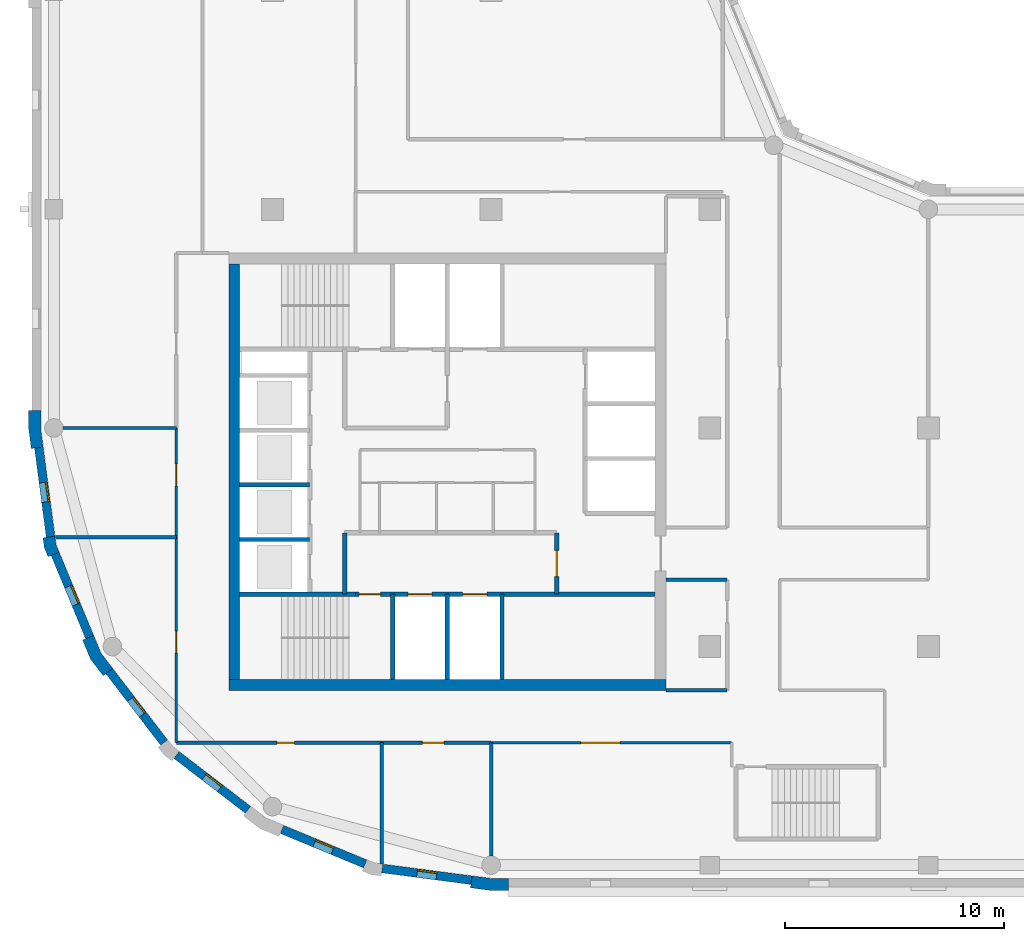
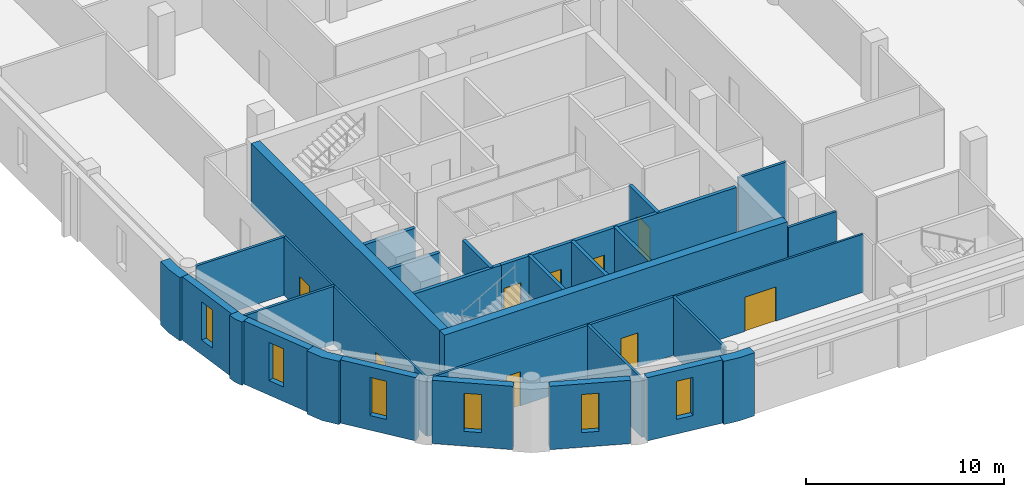
# One storey, part 2 of 9: 30 walls, 9 doors, 6 windows, 15 openings.
"""IFC4 building model written with IfcOpenShell, lengths in metres."""

from ifc_helpers import new_model, si_unit, direction, frame, frame_2d, origin, place, context, subcontext, project, spatial, polyline, rectangle, outline, extrude, material, layer, layer_set, type_object, element, fill, save


model = new_model("IFC4")

# Units and contexts
model_context = context("Model", 3, precision=1e-05, world=origin(), true_north=direction((0.0, 1.0)))
body_context = subcontext(model_context, "Body", "Model", "MODEL_VIEW")
ifc_project = project(units=[si_unit("LENGTHUNIT", "METRE"), si_unit("AREAUNIT", "SQUARE_METRE"), si_unit("VOLUMEUNIT", "CUBIC_METRE"), si_unit("PLANEANGLEUNIT", "RADIAN"), si_unit("MASSUNIT", "GRAM", prefix="KILO")], contexts=[model_context])

# Site, building, storey
site_placement = place(None, origin())
site = spatial("IfcSite", under=ifc_project, at=site_placement, CompositionType="ELEMENT")
building_placement = place(site_placement, origin())
building = spatial("IfcBuilding", under=site, at=building_placement, Name="Qaws Garden Tower", CompositionType="ELEMENT")
storey_placement = place(building_placement, frame((0.0, 0.0, 263.10009765625)))
storey = spatial("IfcBuildingStorey", under=building, at=storey_placement, Name="L63", CompositionType="ELEMENT", Elevation=263.10009765625)

# Wall, opening, window
ifc_material_1 = material(Name="Clay facing brick masonry", Category="masonry")
ifc_layer_1 = layer(ifc_material_1, 0.39990234375)
ifc_layer_set_1 = layer_set([ifc_layer_1], Name="Clay facing brick masonry")
wall_type_1 = type_object("IfcWallType", Name="Brick infill wall 400", PredefinedType="SOLIDWALL", material=ifc_layer_set_1)
wall_1_placement = place(storey_placement, frame((-0.688720703125, 19.102294921875, 0.0), z_axis=(0.0, 0.0, 1.0), x_axis=(0.130514280502, -0.991446429508, 0.0)))
wall_1 = element("IfcWall", 1, at=wall_1_placement, inside=storey, type_object=wall_type_1, Name="E-L63-infill-23", PredefinedType="SOLIDWALL", context=body_context, shape_type="SweptSolid", body=[
    extrude(rectangle(XDim=4.120849609375, YDim=0.39990234375, at=frame_2d((2.060546875, 0.0))), origin(), (0.0, 0.0, 1.0), 3.89990234375),
])
opening_1_placement = place(wall_1_placement, frame((1.610595703125, 0.0, 0.89990234375)))
opening_1 = element("IfcOpeningElement", 2, at=opening_1_placement, cuts=wall_1, Name="Opening W09", PredefinedType="OPENING", context=body_context, shape_type="SweptSolid", body=[
    extrude(rectangle(XDim=0.89990234375, YDim=2.35009765625, at=frame_2d((0.449951171875, 1.175048828125))), frame((0.0, 0.2099609375, 0.0), z_axis=(0.0, -1.0, 0.0), x_axis=(1.0, 0.0, 0.0)), (0.0, 0.0, 1.0), 0.419921875),
])
ifc_material_2 = material(Name="Aluminium framed window, clear glazing", Category="aluminium")
window_type = type_object("IfcWindowType", Name="Slit window 900 x 2350", PartitioningType="SINGLE_PANEL", PredefinedType="WINDOW", material=ifc_material_2)
window_1_placement = place(opening_1_placement, origin())
window_1 = element("IfcWindow", 3, at=window_1_placement, inside=storey, type_object=window_type, Name="E-L63-window-23-0", OverallHeight=2.35009765625, OverallWidth=0.89990234375, PartitioningType="SINGLE_PANEL", PredefinedType="WINDOW", context=body_context, shape_type="SweptSolid", body=[
    extrude(rectangle(XDim=0.89990234375, YDim=2.35009765625, at=frame_2d((0.449951171875, 1.175048828125))), frame((0.0, 0.159912109375, 0.0), z_axis=(0.0, -1.0, 0.0), x_axis=(1.0, 0.0, 0.0)), (0.0, 0.0, 1.0), 0.06005859375),
])
fill(opening_1, window_1)

wall_2_placement = place(storey_placement, frame((0.05712890625, 14.240234375, 0.0), z_axis=(0.0, 0.0, 1.0), x_axis=(0.382721546029, -0.923863744394, 0.0)))
wall_2 = element("IfcWall", 4, at=wall_2_placement, inside=storey, type_object=wall_type_1, Name="E-L63-infill-24", PredefinedType="SOLIDWALL", context=body_context, shape_type="SweptSolid", body=[
    extrude(rectangle(XDim=4.120849609375, YDim=0.39990234375, at=frame_2d((2.060546875, 0.0))), origin(), (0.0, 0.0, 1.0), 3.89990234375),
])
opening_2_placement = place(wall_2_placement, frame((1.610595703125, 0.0, 0.89990234375)))
opening_2 = element("IfcOpeningElement", 5, at=opening_2_placement, cuts=wall_2, Name="Opening W09", PredefinedType="OPENING", context=body_context, shape_type="SweptSolid", body=[
    extrude(rectangle(XDim=0.89990234375, YDim=2.35009765625, at=frame_2d((0.449951171875, 1.175048828125))), frame((0.0, 0.2099609375, 0.0), z_axis=(0.0, -1.0, 0.0), x_axis=(1.0, 0.0, 0.0)), (0.0, 0.0, 1.0), 0.419921875),
])
window_2_placement = place(opening_2_placement, origin())
window_2 = element("IfcWindow", 6, at=window_2_placement, inside=storey, type_object=window_type, Name="E-L63-window-24-0", OverallHeight=2.35009765625, OverallWidth=0.89990234375, PartitioningType="SINGLE_PANEL", PredefinedType="WINDOW", context=body_context, shape_type="SweptSolid", body=[
    extrude(rectangle(XDim=0.89990234375, YDim=2.35009765625, at=frame_2d((0.449951171875, 1.175048828125))), frame((0.0, 0.159912109375, 0.0), z_axis=(0.0, -1.0, 0.0), x_axis=(1.0, 0.0, 0.0)), (0.0, 0.0, 1.0), 0.06005859375),
])
fill(opening_2, window_2)

wall_3_placement = place(storey_placement, frame((2.53173828125, 8.87841796875, 0.0), z_axis=(0.0, 0.0, 1.0), x_axis=(0.608759824817, -0.793354571229, 0.0)))
wall_3 = element("IfcWall", 7, at=wall_3_placement, inside=storey, type_object=wall_type_1, Name="E-L63-infill-25", PredefinedType="SOLIDWALL", context=body_context, shape_type="SweptSolid", body=[
    extrude(rectangle(XDim=4.12109375, YDim=0.39990234375, at=frame_2d((2.060546875, 0.0))), origin(), (0.0, 0.0, 1.0), 3.89990234375),
])
opening_3_placement = place(wall_3_placement, frame((1.610595703125, 0.0, 0.89990234375)))
opening_3 = element("IfcOpeningElement", 8, at=opening_3_placement, cuts=wall_3, Name="Opening W09", PredefinedType="OPENING", context=body_context, shape_type="SweptSolid", body=[
    extrude(rectangle(XDim=0.89990234375, YDim=2.35009765625, at=frame_2d((0.449951171875, 1.175048828125))), frame((0.0, 0.2099609375, 0.0), z_axis=(0.0, -1.0, 0.0), x_axis=(1.0, 0.0, 0.0)), (0.0, 0.0, 1.0), 0.419921875),
])
window_3_placement = place(opening_3_placement, origin())
window_3 = element("IfcWindow", 9, at=window_3_placement, inside=storey, type_object=window_type, Name="E-L63-window-25-0", OverallHeight=2.35009765625, OverallWidth=0.89990234375, PartitioningType="SINGLE_PANEL", PredefinedType="WINDOW", context=body_context, shape_type="SweptSolid", body=[
    extrude(rectangle(XDim=0.89990234375, YDim=2.35009765625, at=frame_2d((0.449951171875, 1.175048828125))), frame((0.0, 0.159912109375, 0.0), z_axis=(0.0, -1.0, 0.0), x_axis=(1.0, 0.0, 0.0)), (0.0, 0.0, 1.0), 0.06005859375),
])
fill(opening_3, window_3)

wall_4_placement = place(storey_placement, frame((5.60888671875, 5.04052734375, 0.0), z_axis=(0.0, 0.0, 1.0), x_axis=(0.793354571229, -0.608759824817, 0.0)))
wall_4 = element("IfcWall", 10, at=wall_4_placement, inside=storey, type_object=wall_type_1, Name="E-L63-infill-26", PredefinedType="SOLIDWALL", context=body_context, shape_type="SweptSolid", body=[
    extrude(rectangle(XDim=4.12109375, YDim=0.39990234375, at=frame_2d((2.060546875, 0.0))), origin(), (0.0, 0.0, 1.0), 3.89990234375),
])
opening_4_placement = place(wall_4_placement, frame((1.610595703125, 0.0, 0.89990234375)))
opening_4 = element("IfcOpeningElement", 11, at=opening_4_placement, cuts=wall_4, Name="Opening W09", PredefinedType="OPENING", context=body_context, shape_type="SweptSolid", body=[
    extrude(rectangle(XDim=0.89990234375, YDim=2.35009765625, at=frame_2d((0.449951171875, 1.175048828125))), frame((0.0, 0.2099609375, 0.0), z_axis=(0.0, -1.0, 0.0), x_axis=(1.0, 0.0, 0.0)), (0.0, 0.0, 1.0), 0.419921875),
])
window_4_placement = place(opening_4_placement, origin())
window_4 = element("IfcWindow", 12, at=window_4_placement, inside=storey, type_object=window_type, Name="E-L63-window-26-0", OverallHeight=2.35009765625, OverallWidth=0.89990234375, PartitioningType="SINGLE_PANEL", PredefinedType="WINDOW", context=body_context, shape_type="SweptSolid", body=[
    extrude(rectangle(XDim=0.89990234375, YDim=2.35009765625, at=frame_2d((0.449951171875, 1.175048828125))), frame((0.0, 0.159912109375, 0.0), z_axis=(0.0, -1.0, 0.0), x_axis=(1.0, 0.0, 0.0)), (0.0, 0.0, 1.0), 0.06005859375),
])
fill(opening_4, window_4)

wall_5_placement = place(storey_placement, frame((10.43310546875, 1.63427734375, 0.0), z_axis=(0.0, 0.0, 1.0), x_axis=(0.923863744394, -0.382721546029, 0.0)))
wall_5 = element("IfcWall", 13, at=wall_5_placement, inside=storey, type_object=wall_type_1, Name="E-L63-infill-27", PredefinedType="SOLIDWALL", context=body_context, shape_type="SweptSolid", body=[
    extrude(rectangle(XDim=4.120849609375, YDim=0.39990234375, at=frame_2d((2.060546875, 0.0))), origin(), (0.0, 0.0, 1.0), 3.89990234375),
])
opening_5_placement = place(wall_5_placement, frame((1.610595703125, 0.0, 0.89990234375)))
opening_5 = element("IfcOpeningElement", 14, at=opening_5_placement, cuts=wall_5, Name="Opening W09", PredefinedType="OPENING", context=body_context, shape_type="SweptSolid", body=[
    extrude(rectangle(XDim=0.89990234375, YDim=2.35009765625, at=frame_2d((0.449951171875, 1.175048828125))), frame((0.0, 0.2099609375, 0.0), z_axis=(0.0, -1.0, 0.0), x_axis=(1.0, 0.0, 0.0)), (0.0, 0.0, 1.0), 0.419921875),
])
window_5_placement = place(opening_5_placement, origin())
window_5 = element("IfcWindow", 15, at=window_5_placement, inside=storey, type_object=window_type, Name="E-L63-window-27-0", OverallHeight=2.35009765625, OverallWidth=0.89990234375, PartitioningType="SINGLE_PANEL", PredefinedType="WINDOW", context=body_context, shape_type="SweptSolid", body=[
    extrude(rectangle(XDim=0.89990234375, YDim=2.35009765625, at=frame_2d((0.449951171875, 1.175048828125))), frame((0.0, 0.159912109375, 0.0), z_axis=(0.0, -1.0, 0.0), x_axis=(1.0, 0.0, 0.0)), (0.0, 0.0, 1.0), 0.06005859375),
])
fill(opening_5, window_5)

wall_6_placement = place(storey_placement, frame((15.0166015625, -0.15087890625, 0.0), z_axis=(0.0, 0.0, 1.0), x_axis=(0.991446429508, -0.130514280502, 0.0)))
wall_6 = element("IfcWall", 16, at=wall_6_placement, inside=storey, type_object=wall_type_1, Name="E-L63-infill-28", PredefinedType="SOLIDWALL", context=body_context, shape_type="SweptSolid", body=[
    extrude(rectangle(XDim=4.120849609375, YDim=0.39990234375, at=frame_2d((2.060546875, 0.0))), origin(), (0.0, 0.0, 1.0), 3.89990234375),
])
opening_6_placement = place(wall_6_placement, frame((1.610595703125, 0.0, 0.89990234375)))
opening_6 = element("IfcOpeningElement", 17, at=opening_6_placement, cuts=wall_6, Name="Opening W09", PredefinedType="OPENING", context=body_context, shape_type="SweptSolid", body=[
    extrude(rectangle(XDim=0.89990234375, YDim=2.35009765625, at=frame_2d((0.449951171875, 1.175048828125))), frame((0.0, 0.2099609375, 0.0), z_axis=(0.0, -1.0, 0.0), x_axis=(1.0, 0.0, 0.0)), (0.0, 0.0, 1.0), 0.419921875),
])
window_6_placement = place(opening_6_placement, origin())
window_6 = element("IfcWindow", 18, at=window_6_placement, inside=storey, type_object=window_type, Name="E-L63-window-28-0", OverallHeight=2.35009765625, OverallWidth=0.89990234375, PartitioningType="SINGLE_PANEL", PredefinedType="WINDOW", context=body_context, shape_type="SweptSolid", body=[
    extrude(rectangle(XDim=0.89990234375, YDim=2.35009765625, at=frame_2d((0.449951171875, 1.175048828125))), frame((0.0, 0.159912109375, 0.0), z_axis=(0.0, -1.0, 0.0), x_axis=(1.0, 0.0, 0.0)), (0.0, 0.0, 1.0), 0.06005859375),
])
fill(opening_6, window_6)

# Walls
ifc_material_3 = material(Name="Clay facing brick masonry", Category="masonry")
ifc_layer_2 = layer(ifc_material_3, 0.550048828125)
ifc_layer_set_2 = layer_set([ifc_layer_2], Name="Clay facing brick masonry")
wall_type_2 = type_object("IfcWallType", Name="Brick kink pier 550 x 600", PredefinedType="SOLIDWALL", material=ifc_layer_set_2)
placement = place(storey_placement, origin())
element("IfcWall", 19, at=placement, inside=storey, type_object=wall_type_2, Name="E-L63-pier-24", PredefinedType="SOLIDWALL", context=body_context, shape_type="SweptSolid", body=[
    extrude(outline(polyline([(-0.34912109375, 14.990478515625), (-0.497802734375, 14.970947265625), (-0.43896484375, 14.5234375), (-0.26611328125, 14.1064453125), (-0.127685546875, 14.163818359375), (0.241943359375, 14.31689453125), (0.096923828125, 14.6669921875), (0.04736328125, 15.042724609375), (-0.34912109375, 14.990478515625)])), origin(), (0.0, 0.0, 1.0), 3.89990234375),
])
ifc_material_4 = material(Name="Clay facing brick masonry", Category="masonry")
ifc_layer_3 = layer(ifc_material_4, 0.550048828125)
ifc_layer_set_3 = layer_set([ifc_layer_3], Name="Clay facing brick masonry")
wall_type_3 = type_object("IfcWallType", Name="Brick pier 550 x 1600", PredefinedType="SOLIDWALL", material=ifc_layer_set_3)
element("IfcWall", 20, at=placement, inside=storey, type_object=wall_type_3, Name="E-L63-pier-00", PredefinedType="SOLIDWALL", context=body_context, shape_type="SweptSolid", body=[
    extrude(outline(polyline([(19.076416015625, -0.886962890625), (19.056640625, -1.03564453125), (19.924560546875, -1.14990234375), (20.800048828125, -1.14990234375), (20.800048828125, -1.0), (20.800048828125, -0.60009765625), (19.960693359375, -0.60009765625), (19.12841796875, -0.490478515625), (19.076416015625, -0.886962890625)])), origin(), (0.0, 0.0, 1.0), 3.89990234375),
])
element("IfcWall", 21, at=placement, inside=storey, type_object=wall_type_3, Name="E-L63-pier-23", PredefinedType="SOLIDWALL", context=body_context, shape_type="SweptSolid", body=[
    extrude(outline(polyline([(-1.0, 20.800048828125), (-1.14990234375, 20.800048828125), (-1.14990234375, 19.924560546875), (-1.03564453125, 19.056640625), (-0.886962890625, 19.076416015625), (-0.490478515625, 19.12841796875), (-0.60009765625, 19.960693359375), (-0.60009765625, 20.800048828125), (-1.0, 20.800048828125)])), origin(), (0.0, 0.0, 1.0), 3.89990234375),
])
element("IfcWall", 22, at=placement, inside=storey, type_object=wall_type_3, Name="E-L63-pier-25", PredefinedType="SOLIDWALL", context=body_context, shape_type="SweptSolid", body=[
    extrude(outline(polyline([(1.449462890625, 10.3564453125), (1.310791015625, 10.299072265625), (1.675048828125, 9.419921875), (2.254150390625, 8.665283203125), (2.373046875, 8.756591796875), (2.6904296875, 9.0), (2.1552734375, 9.697509765625), (1.819091796875, 10.509521484375), (1.449462890625, 10.3564453125)])), origin(), (0.0, 0.0, 1.0), 3.89990234375),
])
ifc_material_5 = material(Name="Concrete C60", Category="concrete")
ifc_layer_4 = layer(ifc_material_5, 0.199951171875)
ifc_layer_set_4 = layer_set([ifc_layer_4], Name="Concrete C60")
wall_type_4 = type_object("IfcWallType", Name="Core shaft wall 200 C60", PredefinedType="SHEAR", material=ifc_layer_set_4)
wall_11_placement = place(storey_placement, frame((8.5, 12.39990234375, 0.0), z_axis=(0.0, 0.0, 1.0), x_axis=(1.0, 0.0, 0.0)))
element("IfcWall", 23, at=wall_11_placement, inside=storey, type_object=wall_type_4, Name="Shaft wall", PredefinedType="SHEAR", context=body_context, shape_type="SweptSolid", body=[
    extrude(rectangle(XDim=5.300048828125, YDim=0.199951171875, at=frame_2d((2.64990234375, 0.0))), origin(), (0.0, 0.0, 1.0), 3.579833984375),
])

# Wall, openings, doors
wall_12_placement = place(storey_placement, frame((13.800048828125, 12.39990234375, 0.0), z_axis=(0.0, 0.0, 1.0), x_axis=(1.0, 0.0, 0.0)))
wall_12 = element("IfcWall", 24, at=wall_12_placement, inside=storey, type_object=wall_type_4, Name="Shaft wall", PredefinedType="SHEAR", context=body_context, shape_type="SweptSolid", body=[
    extrude(rectangle(XDim=13.699951171875, YDim=0.199951171875, at=frame_2d((6.85009765625, 0.0))), origin(), (0.0, 0.0, 1.0), 3.579833984375),
])
opening_7_placement = place(wall_12_placement, frame((2.39990234375, 0.0, 0.0)))
opening_7 = element("IfcOpeningElement", 25, at=opening_7_placement, cuts=wall_12, Name="Opening LD06", PredefinedType="OPENING", context=body_context, shape_type="SweptSolid", body=[
    extrude(rectangle(XDim=1.10009765625, YDim=2.10009765625, at=frame_2d((0.550048828125, 1.050048828125))), frame((0.0, 0.10986328125, 0.0), z_axis=(0.0, -1.0, 0.0), x_axis=(1.0, 0.0, 0.0)), (0.0, 0.0, 1.0), 0.219970703125),
])
opening_8_placement = place(wall_12_placement, frame((4.89990234375, 0.0, 0.0)))
opening_8 = element("IfcOpeningElement", 26, at=opening_8_placement, cuts=wall_12, Name="Opening LD07", PredefinedType="OPENING", context=body_context, shape_type="SweptSolid", body=[
    extrude(rectangle(XDim=1.10009765625, YDim=2.10009765625, at=frame_2d((0.550048828125, 1.050048828125))), frame((0.0, 0.10986328125, 0.0), z_axis=(0.0, -1.0, 0.0), x_axis=(1.0, 0.0, 0.0)), (0.0, 0.0, 1.0), 0.219970703125),
])
opening_9_placement = place(wall_12_placement, frame((0.14990234375, 0.0, 0.0)))
opening_9 = element("IfcOpeningElement", 27, at=opening_9_placement, cuts=wall_12, Name="Opening SD10", PredefinedType="OPENING", context=body_context, shape_type="SweptSolid", body=[
    extrude(rectangle(XDim=1.0, YDim=2.10009765625, at=frame_2d((0.5, 1.050048828125))), frame((0.0, 0.10986328125, 0.0), z_axis=(0.0, -1.0, 0.0), x_axis=(1.0, 0.0, 0.0)), (0.0, 0.0, 1.0), 0.219970703125),
])
ifc_material_6 = material(Name="Steel S235", Category="steel")
door_type_1 = type_object("IfcDoorType", Name="Landing door 1100x2100", OperationType="DOUBLE_DOOR_SLIDING", PredefinedType="DOOR", material=ifc_material_6)
door_1_placement = place(opening_7_placement, origin())
door_1 = element("IfcDoor", 28, at=door_1_placement, inside=storey, type_object=door_type_1, Name="Lift FF1 landing door", OperationType="DOUBLE_DOOR_SLIDING", OverallHeight=2.10009765625, OverallWidth=1.10009765625, PredefinedType="DOOR", context=body_context, shape_type="SweptSolid", body=[
    extrude(rectangle(XDim=1.10009765625, YDim=2.10009765625, at=frame_2d((0.550048828125, 1.050048828125))), frame((0.0, 0.02490234375, 0.0), z_axis=(0.0, -1.0, 0.0), x_axis=(1.0, 0.0, 0.0)), (0.0, 0.0, 1.0), 0.050048828125),
])
fill(opening_7, door_1)
door_2_placement = place(opening_8_placement, origin())
door_2 = element("IfcDoor", 29, at=door_2_placement, inside=storey, type_object=door_type_1, Name="Lift FF2 landing door", OperationType="DOUBLE_DOOR_SLIDING", OverallHeight=2.10009765625, OverallWidth=1.10009765625, PredefinedType="DOOR", context=body_context, shape_type="SweptSolid", body=[
    extrude(rectangle(XDim=1.10009765625, YDim=2.10009765625, at=frame_2d((0.550048828125, 1.050048828125))), frame((0.0, 0.02490234375, 0.0), z_axis=(0.0, -1.0, 0.0), x_axis=(1.0, 0.0, 0.0)), (0.0, 0.0, 1.0), 0.050048828125),
])
fill(opening_8, door_2)
ifc_material_7 = material(Name="Steel S235", Category="steel")
door_type_2 = type_object("IfcDoorType", Name="Stair door 1000x2100", OperationType="SINGLE_SWING_RIGHT", PredefinedType="DOOR", material=ifc_material_7)
door_3_placement = place(opening_9_placement, frame((1.0, 0.0, 0.0), z_axis=(0.0, 0.0, 1.0), x_axis=(-1.0, 0.0, 0.0)))
door_3 = element("IfcDoor", 30, at=door_3_placement, inside=storey, type_object=door_type_2, Name="Stair 1 door", OperationType="SINGLE_SWING_LEFT", OverallHeight=2.10009765625, OverallWidth=1.0, PredefinedType="DOOR", context=body_context, shape_type="SweptSolid", body=[
    extrude(rectangle(XDim=1.0, YDim=2.10009765625, at=frame_2d((0.5, 1.050048828125))), frame((0.0, 0.02490234375, 0.0), z_axis=(0.0, -1.0, 0.0), x_axis=(1.0, 0.0, 0.0)), (0.0, 0.0, 1.0), 0.050048828125),
])
fill(opening_9, door_3)

# Walls
for number, where, z_axis, x_axis, name in (
    (31, (8.5, 14.89990234375, 0.0), (0.0, 0.0, 1.0), (1.0, 0.0, 0.0), "Shaft wall"),
    (32, (8.5, 17.39990234375, 0.0), (0.0, 0.0, 1.0), (1.0, 0.0, 0.0), "Shaft wall"),
):
    element("IfcWall", number, at=place(storey_placement, frame(where, z_axis=z_axis, x_axis=x_axis)), inside=storey, type_object=wall_type_4, Name=name, PredefinedType="SHEAR", context=body_context, shape_type="SweptSolid", body=[
        extrude(rectangle(XDim=3.199951171875, YDim=0.199951171875, at=frame_2d((1.60009765625, 0.0))), origin(), (0.0, 0.0, 1.0), 3.579833984375),
    ])
wall_13_placement = place(storey_placement, frame((13.300048828125, 12.39990234375, 0.0), z_axis=(0.0, 0.0, 1.0), x_axis=(0.0, 1.0, 0.0)))
element("IfcWall", 33, at=wall_13_placement, inside=storey, type_object=wall_type_4, Name="Shaft wall", PredefinedType="SHEAR", context=body_context, shape_type="SweptSolid", body=[
    extrude(rectangle(XDim=2.800048828125, YDim=0.199951171875, at=frame_2d((1.39990234375, 0.0))), origin(), (0.0, 0.0, 1.0), 3.579833984375),
])
for number, where, z_axis, x_axis, name in (
    (34, (15.5, 8.5, 0.0), (0.0, 0.0, 1.0), (0.0, 1.0, 0.0), "Shaft wall"),
    (35, (18.0, 8.5, 0.0), (0.0, 0.0, 1.0), (0.0, 1.0, 0.0), "Shaft wall"),
    (36, (20.5, 8.5, 0.0), (0.0, 0.0, 1.0), (0.0, 1.0, 0.0), "Shaft wall"),
):
    element("IfcWall", number, at=place(storey_placement, frame(where, z_axis=z_axis, x_axis=x_axis)), inside=storey, type_object=wall_type_4, Name=name, PredefinedType="SHEAR", context=body_context, shape_type="SweptSolid", body=[
        extrude(rectangle(XDim=3.89990234375, YDim=0.199951171875, at=frame_2d((1.949951171875, 0.0))), origin(), (0.0, 0.0, 1.0), 3.579833984375),
    ])

# Wall, opening, door
wall_14_placement = place(storey_placement, frame((23.0, 12.39990234375, 0.0), z_axis=(0.0, 0.0, 1.0), x_axis=(0.0, 1.0, 0.0)))
wall_14 = element("IfcWall", 37, at=wall_14_placement, inside=storey, type_object=wall_type_4, Name="Shaft wall", PredefinedType="SHEAR", context=body_context, shape_type="SweptSolid", body=[
    extrude(rectangle(XDim=2.800048828125, YDim=0.199951171875, at=frame_2d((1.39990234375, 0.0))), origin(), (0.0, 0.0, 1.0), 3.579833984375),
])
opening_10_placement = place(wall_14_placement, frame((0.800048828125, 0.0, 0.0)))
opening_10 = element("IfcOpeningElement", 38, at=opening_10_placement, cuts=wall_14, Name="Opening FD15", PredefinedType="OPENING", context=body_context, shape_type="SweptSolid", body=[
    extrude(rectangle(XDim=1.199951171875, YDim=2.10009765625, at=frame_2d((0.60009765625, 1.050048828125))), frame((0.0, 0.10986328125, 0.0), z_axis=(0.0, -1.0, 0.0), x_axis=(1.0, 0.0, 0.0)), (0.0, 0.0, 1.0), 0.219970703125),
])
ifc_material_8 = material(Name="Steel S235", Category="steel")
door_type_3 = type_object("IfcDoorType", Name="Lobby door 1200x2100", OperationType="DOUBLE_DOOR_SINGLE_SWING", PredefinedType="DOOR", material=ifc_material_8)
door_4_placement = place(opening_10_placement, origin())
door_4 = element("IfcDoor", 39, at=door_4_placement, inside=storey, type_object=door_type_3, Name="Fire-fighting lobby door", OperationType="DOUBLE_DOOR_SINGLE_SWING", OverallHeight=2.10009765625, OverallWidth=1.199951171875, PredefinedType="DOOR", context=body_context, shape_type="SweptSolid", body=[
    extrude(rectangle(XDim=1.199951171875, YDim=2.10009765625, at=frame_2d((0.60009765625, 1.050048828125))), frame((0.0, 0.02490234375, 0.0), z_axis=(0.0, -1.0, 0.0), x_axis=(1.0, 0.0, 0.0)), (0.0, 0.0, 1.0), 0.050048828125),
])
fill(opening_10, door_4)

# Walls
ifc_material_9 = material(Name="Concrete C60", Category="concrete")
ifc_layer_5 = layer(ifc_material_9, 0.5)
ifc_layer_set_5 = layer_set([ifc_layer_5], Name="Concrete C60")
wall_type_5 = type_object("IfcWallType", Name="Core wall 500 C60", PredefinedType="SHEAR", material=ifc_layer_set_5)
wall_15_placement = place(storey_placement, frame((8.0, 8.25, 0.0), z_axis=(0.0, 0.0, 1.0), x_axis=(1.0, 0.0, 0.0)))
element("IfcWall", 40, at=wall_15_placement, inside=storey, type_object=wall_type_5, Name="Core wall L63 south", PredefinedType="SHEAR", context=body_context, shape_type="SweptSolid", body=[
    extrude(rectangle(XDim=20.0, YDim=0.5, at=frame_2d((10.0, 0.0))), origin(), (0.0, 0.0, 1.0), 3.89990234375),
])
wall_16_placement = place(storey_placement, frame((8.25, 27.5, 0.0), z_axis=(0.0, 0.0, 1.0), x_axis=(0.0, -1.0, 0.0)))
element("IfcWall", 41, at=wall_16_placement, inside=storey, type_object=wall_type_5, Name="Core wall L63 west", PredefinedType="SHEAR", context=body_context, shape_type="SweptSolid", body=[
    extrude(rectangle(XDim=19.0, YDim=0.5, at=frame_2d((9.5, 0.0))), origin(), (0.0, 0.0, 1.0), 3.89990234375),
])

# Wall, openings, doors
ifc_material_10 = material(Name="Glass and aluminium framing", Category="aluminium")
ifc_layer_6 = layer(ifc_material_10, 0.1201171875)
ifc_layer_set_6 = layer_set([ifc_layer_6], Name="Glass and aluminium framing")
wall_type_6 = type_object("IfcWallType", Name="GLAZED PARTITION 120 EI 30", PredefinedType="PARTITIONING", material=ifc_layer_set_6)
wall_17_placement = place(storey_placement, frame((5.60009765625, 5.60009765625, 0.0), z_axis=(0.0, 0.0, 1.0), x_axis=(0.0, 1.0, 0.0)))
wall_17 = element("IfcWall", 42, at=wall_17_placement, inside=storey, type_object=wall_type_6, Name="O-L63-wall-039", PredefinedType="PARTITIONING", context=body_context, shape_type="SweptSolid", body=[
    extrude(rectangle(XDim=14.39990234375, YDim=0.1201171875, at=frame_2d((7.199951171875, 0.0))), origin(), (0.0, 0.0, 1.0), 3.579833984375),
])
opening_11_placement = place(wall_17_placement, frame((4.10009765625, 0.0, 0.0)))
opening_11 = element("IfcOpeningElement", 43, at=opening_11_placement, cuts=wall_17, Name="Opening C201", PredefinedType="OPENING", context=body_context, shape_type="SweptSolid", body=[
    extrude(rectangle(XDim=1.0, YDim=2.10009765625, at=frame_2d((0.5, 1.050048828125))), frame((0.0, 0.070068359375, 0.0), z_axis=(0.0, -1.0, 0.0), x_axis=(1.0, 0.0, 0.0)), (0.0, 0.0, 1.0), 0.14013671875),
])
opening_12_placement = place(wall_17_placement, frame((11.75, 0.0, 0.0)))
opening_12 = element("IfcOpeningElement", 44, at=opening_12_placement, cuts=wall_17, Name="Opening C202", PredefinedType="OPENING", context=body_context, shape_type="SweptSolid", body=[
    extrude(rectangle(XDim=1.0, YDim=2.10009765625, at=frame_2d((0.5, 1.050048828125))), frame((0.0, 0.070068359375, 0.0), z_axis=(0.0, -1.0, 0.0), x_axis=(1.0, 0.0, 0.0)), (0.0, 0.0, 1.0), 0.14013671875),
])
ifc_material_11 = material(Name="Timber door leaf", Category="wood")
door_type_4 = type_object("IfcDoorType", Name="TENANCY ENTRANCE DOOR 1000 X 2100", OperationType="SINGLE_SWING_LEFT", PredefinedType="DOOR", material=ifc_material_11)
door_5_placement = place(opening_11_placement, origin())
door_5 = element("IfcDoor", 45, at=door_5_placement, inside=storey, type_object=door_type_4, Name="O-L63-door-001", OperationType="SINGLE_SWING_RIGHT", OverallHeight=2.10009765625, OverallWidth=1.0, PredefinedType="DOOR", context=body_context, shape_type="SweptSolid", body=[
    extrude(rectangle(XDim=1.0, YDim=2.10009765625, at=frame_2d((0.5, 1.050048828125))), frame((0.0, 0.02490234375, 0.0), z_axis=(0.0, -1.0, 0.0), x_axis=(1.0, 0.0, 0.0)), (0.0, 0.0, 1.0), 0.050048828125),
])
fill(opening_11, door_5)
door_6_placement = place(opening_12_placement, origin())
door_6 = element("IfcDoor", 46, at=door_6_placement, inside=storey, type_object=door_type_4, Name="O-L63-door-002", OperationType="SINGLE_SWING_RIGHT", OverallHeight=2.10009765625, OverallWidth=1.0, PredefinedType="DOOR", context=body_context, shape_type="SweptSolid", body=[
    extrude(rectangle(XDim=1.0, YDim=2.10009765625, at=frame_2d((0.5, 1.050048828125))), frame((0.0, 0.02490234375, 0.0), z_axis=(0.0, -1.0, 0.0), x_axis=(1.0, 0.0, 0.0)), (0.0, 0.0, 1.0), 0.050048828125),
])
fill(opening_12, door_6)

# Wall, opening, door
wall_18_placement = place(storey_placement, frame((20.0, 5.60009765625, 0.0), z_axis=(0.0, 0.0, 1.0), x_axis=(1.0, 0.0, 0.0)))
wall_18 = element("IfcWall", 47, at=wall_18_placement, inside=storey, type_object=wall_type_6, Name="O-L63-wall-049", PredefinedType="PARTITIONING", context=body_context, shape_type="SweptSolid", body=[
    extrude(rectangle(XDim=11.0, YDim=0.1201171875, at=frame_2d((5.5, 0.0))), origin(), (0.0, 0.0, 1.0), 3.579833984375),
])
opening_13_placement = place(wall_18_placement, frame((4.10009765625, 0.0, 0.0)))
opening_13 = element("IfcOpeningElement", 48, at=opening_13_placement, cuts=wall_18, Name="Opening C215", PredefinedType="OPENING", context=body_context, shape_type="SweptSolid", body=[
    extrude(rectangle(XDim=1.800048828125, YDim=2.10009765625, at=frame_2d((0.89990234375, 1.050048828125))), frame((0.0, 0.070068359375, 0.0), z_axis=(0.0, -1.0, 0.0), x_axis=(1.0, 0.0, 0.0)), (0.0, 0.0, 1.0), 0.14013671875),
])
ifc_material_12 = material(Name="Timber door leaf", Category="wood")
door_type_5 = type_object("IfcDoorType", Name="DOUBLE DOOR 1800 X 2100", OperationType="DOUBLE_DOOR_SINGLE_SWING", PredefinedType="DOOR", material=ifc_material_12)
door_7_placement = place(opening_13_placement, frame((1.800048828125, 0.0, 0.0), z_axis=(0.0, 0.0, 1.0), x_axis=(-1.0, 0.0, 0.0)))
door_7 = element("IfcDoor", 49, at=door_7_placement, inside=storey, type_object=door_type_5, Name="O-L63-door-015", OperationType="DOUBLE_DOOR_SINGLE_SWING", OverallHeight=2.10009765625, OverallWidth=1.800048828125, PredefinedType="DOOR", context=body_context, shape_type="SweptSolid", body=[
    extrude(rectangle(XDim=1.800048828125, YDim=2.10009765625, at=frame_2d((0.89990234375, 1.050048828125))), frame((0.0, 0.02490234375, 0.0), z_axis=(0.0, -1.0, 0.0), x_axis=(1.0, 0.0, 0.0)), (0.0, 0.0, 1.0), 0.050048828125),
])
fill(opening_13, door_7)

# Walls
ifc_material_13 = material(Name="Gypsum board partition")
ifc_layer_7 = layer(ifc_material_13, 0.14990234375)
ifc_layer_set_7 = layer_set([ifc_layer_7], Name="Gypsum board partition")
wall_type_7 = type_object("IfcWallType", Name="PARTITION 150 EI 60", PredefinedType="PARTITIONING", material=ifc_layer_set_7)
wall_19_placement = place(storey_placement, frame((15.0, 0.06298828125, 0.0), z_axis=(0.0, 0.0, 1.0), x_axis=(0.0, 1.0, 0.0)))
element("IfcWall", 50, at=wall_19_placement, inside=storey, type_object=wall_type_7, Name="O-L63-wall-007", PredefinedType="PARTITIONING", context=body_context, shape_type="SweptSolid", body=[
    extrude(rectangle(XDim=5.537109375, YDim=0.14990234375, at=frame_2d((2.7685546875, 0.0))), origin(), (0.0, 0.0, 1.0), 3.579833984375),
])
wall_20_placement = place(storey_placement, frame((20.0, 0.425048828125, 0.0), z_axis=(0.0, 0.0, 1.0), x_axis=(0.0, 1.0, 0.0)))
element("IfcWall", 51, at=wall_20_placement, inside=storey, type_object=wall_type_7, Name="O-L63-wall-010", PredefinedType="PARTITIONING", context=body_context, shape_type="SweptSolid", body=[
    extrude(rectangle(XDim=5.175048828125, YDim=0.14990234375, at=frame_2d((2.58740234375, 0.0))), origin(), (0.0, 0.0, 1.0), 3.579833984375),
])

# Wall, openings, doors
wall_21_placement = place(storey_placement, frame((5.60009765625, 5.60009765625, 0.0), z_axis=(0.0, 0.0, 1.0), x_axis=(1.0, 0.0, 0.0)))
wall_21 = element("IfcWall", 52, at=wall_21_placement, inside=storey, type_object=wall_type_7, Name="O-L63-wall-018", PredefinedType="PARTITIONING", context=body_context, shape_type="SweptSolid", body=[
    extrude(rectangle(XDim=14.39990234375, YDim=0.14990234375, at=frame_2d((7.199951171875, 0.0))), origin(), (0.0, 0.0, 1.0), 3.579833984375),
])
opening_14_placement = place(wall_21_placement, frame((4.60009765625, 0.0, 0.0)))
opening_14 = element("IfcOpeningElement", 53, at=opening_14_placement, cuts=wall_21, Name="Opening C211", PredefinedType="OPENING", context=body_context, shape_type="SweptSolid", body=[
    extrude(rectangle(XDim=0.800048828125, YDim=2.10009765625, at=frame_2d((0.39990234375, 1.050048828125))), frame((0.0, 0.0849609375, 0.0), z_axis=(0.0, -1.0, 0.0), x_axis=(1.0, 0.0, 0.0)), (0.0, 0.0, 1.0), 0.169921875),
])
opening_15_placement = place(wall_21_placement, frame((11.25, 0.0, 0.0)))
opening_15 = element("IfcOpeningElement", 54, at=opening_15_placement, cuts=wall_21, Name="Opening C212", PredefinedType="OPENING", context=body_context, shape_type="SweptSolid", body=[
    extrude(rectangle(XDim=1.0, YDim=2.10009765625, at=frame_2d((0.5, 1.050048828125))), frame((0.0, 0.0849609375, 0.0), z_axis=(0.0, -1.0, 0.0), x_axis=(1.0, 0.0, 0.0)), (0.0, 0.0, 1.0), 0.169921875),
])
ifc_material_14 = material(Name="Timber door leaf", Category="wood")
door_type_6 = type_object("IfcDoorType", Name="STORE DOOR 800 X 2100", OperationType="SINGLE_SWING_LEFT", PredefinedType="DOOR", material=ifc_material_14)
door_8_placement = place(opening_14_placement, frame((0.800048828125, 0.0, 0.0), z_axis=(0.0, 0.0, 1.0), x_axis=(-1.0, 0.0, 0.0)))
door_8 = element("IfcDoor", 55, at=door_8_placement, inside=storey, type_object=door_type_6, Name="O-L63-door-011", OperationType="SINGLE_SWING_LEFT", OverallHeight=2.10009765625, OverallWidth=0.800048828125, PredefinedType="DOOR", context=body_context, shape_type="SweptSolid", body=[
    extrude(rectangle(XDim=0.800048828125, YDim=2.10009765625, at=frame_2d((0.39990234375, 1.050048828125))), frame((0.0, 0.02490234375, 0.0), z_axis=(0.0, -1.0, 0.0), x_axis=(1.0, 0.0, 0.0)), (0.0, 0.0, 1.0), 0.050048828125),
])
fill(opening_14, door_8)
door_9_placement = place(opening_15_placement, frame((1.0, 0.0, 0.0), z_axis=(0.0, 0.0, 1.0), x_axis=(-1.0, 0.0, 0.0)))
door_9 = element("IfcDoor", 56, at=door_9_placement, inside=storey, type_object=door_type_4, Name="O-L63-door-012", OperationType="SINGLE_SWING_LEFT", OverallHeight=2.10009765625, OverallWidth=1.0, PredefinedType="DOOR", context=body_context, shape_type="SweptSolid", body=[
    extrude(rectangle(XDim=1.0, YDim=2.10009765625, at=frame_2d((0.5, 1.050048828125))), frame((0.0, 0.02490234375, 0.0), z_axis=(0.0, -1.0, 0.0), x_axis=(1.0, 0.0, 0.0)), (0.0, 0.0, 1.0), 0.050048828125),
])
fill(opening_15, door_9)

# Walls
for number, where, z_axis, x_axis, name in (
    (57, (28.0, 8.0, 0.0), (0.0, 0.0, 1.0), (1.0, 0.0, 0.0), "O-L63-wall-019"),
    (58, (28.0, 13.050048828125, 0.0), (0.0, 0.0, 1.0), (1.0, 0.0, 0.0), "O-L63-wall-020"),
):
    element("IfcWall", number, at=place(storey_placement, frame(where, z_axis=z_axis, x_axis=x_axis)), inside=storey, type_object=wall_type_7, Name=name, PredefinedType="PARTITIONING", context=body_context, shape_type="SweptSolid", body=[
        extrude(rectangle(XDim=2.800048828125, YDim=0.14990234375, at=frame_2d((1.39990234375, 0.0))), origin(), (0.0, 0.0, 1.0), 3.579833984375),
    ])
wall_22_placement = place(storey_placement, frame((0.06298828125, 15.0, 0.0), z_axis=(0.0, 0.0, 1.0), x_axis=(1.0, 0.0, 0.0)))
element("IfcWall", 59, at=wall_22_placement, inside=storey, type_object=wall_type_7, Name="O-L63-wall-021", PredefinedType="PARTITIONING", context=body_context, shape_type="SweptSolid", body=[
    extrude(rectangle(XDim=5.537109375, YDim=0.14990234375, at=frame_2d((2.7685546875, 0.0))), origin(), (0.0, 0.0, 1.0), 3.579833984375),
])
wall_23_placement = place(storey_placement, frame((0.425048828125, 20.0, 0.0), z_axis=(0.0, 0.0, 1.0), x_axis=(1.0, 0.0, 0.0)))
element("IfcWall", 60, at=wall_23_placement, inside=storey, type_object=wall_type_7, Name="O-L63-wall-024", PredefinedType="PARTITIONING", context=body_context, shape_type="SweptSolid", body=[
    extrude(rectangle(XDim=5.175048828125, YDim=0.14990234375, at=frame_2d((2.58740234375, 0.0))), origin(), (0.0, 0.0, 1.0), 3.579833984375),
])

save(model, "model.ifc")
